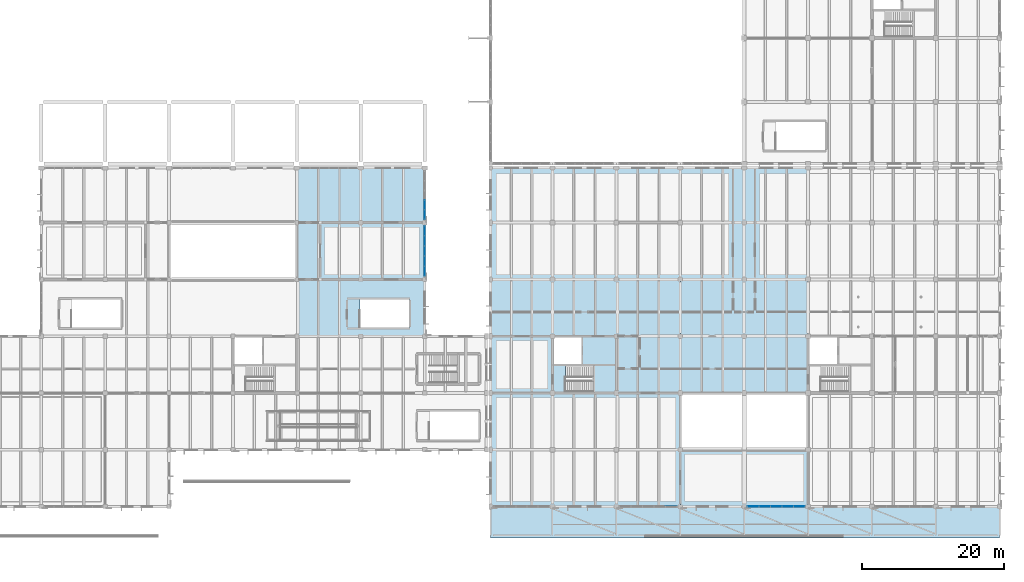
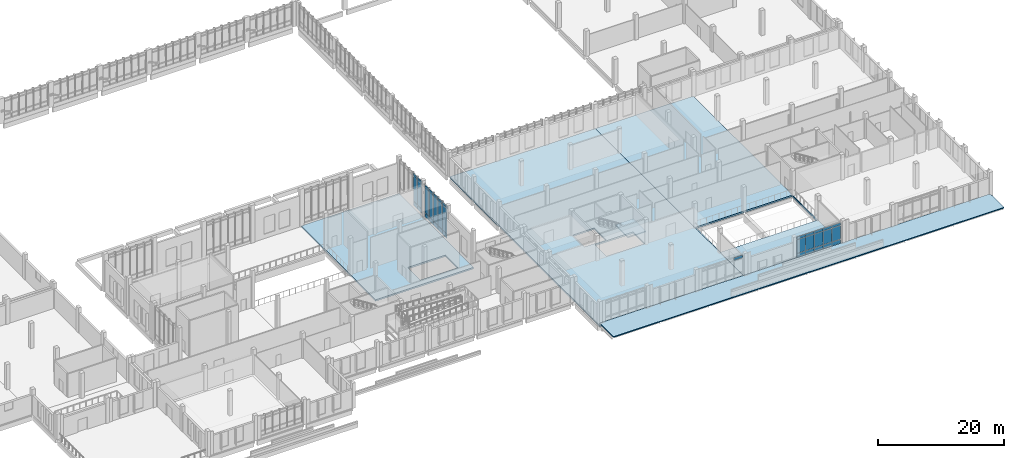
# One storey, part 62 of 110: 37 plates, 5 slabs, 5 elements without a shape of their own.
"""IFC4 building model written with IfcOpenShell, lengths in metres."""

from ifc_helpers import new_model, si_unit, direction, frame, origin, origin_2d, place, context, subcontext, project, spatial, polyline, rectangle, outline, extrude, material, layer, layer_set, type_object, element, aggregate, save


model = new_model("IFC4")

# Units and contexts
model_context = context("Model", 3, precision=1e-05, world=origin(), true_north=direction((0.0, 1.0)))
body_context = subcontext(model_context, "Body", "Model", "MODEL_VIEW")
ifc_project = project(units=[si_unit("LENGTHUNIT", "METRE"), si_unit("AREAUNIT", "SQUARE_METRE"), si_unit("VOLUMEUNIT", "CUBIC_METRE"), si_unit("PLANEANGLEUNIT", "RADIAN"), si_unit("MASSUNIT", "GRAM", prefix="KILO")], contexts=[model_context])

# Site, building, storey
site_placement = place(None, origin())
site = spatial("IfcSite", under=ifc_project, at=site_placement, CompositionType="ELEMENT")
building_placement = place(site_placement, origin())
building = spatial("IfcBuilding", under=site, at=building_placement, Name="Zacnel Wholesale Market", CompositionType="ELEMENT")
storey_placement = place(building_placement, frame((0.0, 0.0, 6.300048828125)))
storey = spatial("IfcBuildingStorey", under=building, at=storey_placement, Name="L02", CompositionType="ELEMENT", Elevation=6.300048828125)

# Curtain wall, plates
ifc_material_1 = material(Name="Anodised aluminium", Category="aluminium")
ifc_layer_1 = layer(ifc_material_1, 0.179931640625)
ifc_layer_set_1 = layer_set([ifc_layer_1], Name="Anodised aluminium")
curtain_wall_type_1 = type_object("IfcCurtainWallType", Name="CW-BLVD-5400", PredefinedType="NOTDEFINED", material=ifc_layer_set_1)
curtain_wall_1_placement = place(storey_placement, origin())
curtain_wall_1 = element("IfcCurtainWall", 1, at=curtain_wall_1_placement, inside=storey, type_object=curtain_wall_type_1, Name="Curtain wall ENV-R2-CW-L02-018", PredefinedType="NOTDEFINED")
ifc_material_2 = material(Name="Laminated hurricane-impact low-E insulated glass", Category="glass")
ifc_layer_2 = layer(ifc_material_2, 0.028076171875)
ifc_layer_set_2 = layer_set([ifc_layer_2], Name="Laminated hurricane-impact low-E insulated glass")
plate_type_1 = type_object("IfcPlateType", Name="CWP-PNL-01", PredefinedType="CURTAIN_PANEL", material=ifc_layer_set_2)
plate_1_placement = place(storey_placement, frame((181.260009765625, 0.0, 1.330078125), z_axis=(0.0, 0.0, 1.0), x_axis=(1.0, 0.0, 0.0)))
plate_1 = element("IfcPlate", 2, at=plate_1_placement, type_object=plate_type_1, Name="ENV-R2-CW-L02-018 panel 1-2", PredefinedType="CURTAIN_PANEL", context=body_context, shape_type="SweptSolid", body=[
    extrude(rectangle(XDim=1.550048828125, YDim=0.028076171875, at=origin_2d()), origin(), (0.0, 0.0, 1.0), 2.639892578125),
])
plate_2_placement = place(storey_placement, frame((182.8798828125, 0.0, 1.330078125), z_axis=(0.0, 0.0, 1.0), x_axis=(1.0, 0.0, 0.0)))
plate_2 = element("IfcPlate", 3, at=plate_2_placement, type_object=plate_type_1, Name="ENV-R2-CW-L02-018 panel 2-2", PredefinedType="CURTAIN_PANEL", context=body_context, shape_type="SweptSolid", body=[
    extrude(rectangle(XDim=1.550048828125, YDim=0.028076171875, at=origin_2d()), origin(), (0.0, 0.0, 1.0), 2.639892578125),
])
plate_3_placement = place(storey_placement, frame((184.5, 0.0, 1.330078125), z_axis=(0.0, 0.0, 1.0), x_axis=(1.0, 0.0, 0.0)))
plate_3 = element("IfcPlate", 4, at=plate_3_placement, type_object=plate_type_1, Name="ENV-R2-CW-L02-018 panel 3-2", PredefinedType="CURTAIN_PANEL", context=body_context, shape_type="SweptSolid", body=[
    extrude(rectangle(XDim=1.550048828125, YDim=0.028076171875, at=origin_2d()), origin(), (0.0, 0.0, 1.0), 2.639892578125),
])
plate_4_placement = place(storey_placement, frame((186.1201171875, 0.0, 1.330078125), z_axis=(0.0, 0.0, 1.0), x_axis=(1.0, 0.0, 0.0)))
plate_4 = element("IfcPlate", 5, at=plate_4_placement, type_object=plate_type_1, Name="ENV-R2-CW-L02-018 panel 4-2", PredefinedType="CURTAIN_PANEL", context=body_context, shape_type="SweptSolid", body=[
    extrude(rectangle(XDim=1.550048828125, YDim=0.028076171875, at=origin_2d()), origin(), (0.0, 0.0, 1.0), 2.639892578125),
])
plate_5_placement = place(storey_placement, frame((187.739990234375, 0.0, 1.330078125), z_axis=(0.0, 0.0, 1.0), x_axis=(1.0, 0.0, 0.0)))
plate_5 = element("IfcPlate", 6, at=plate_5_placement, type_object=plate_type_1, Name="ENV-R2-CW-L02-018 panel 5-2", PredefinedType="CURTAIN_PANEL", context=body_context, shape_type="SweptSolid", body=[
    extrude(rectangle(XDim=1.550048828125, YDim=0.028076171875, at=origin_2d()), origin(), (0.0, 0.0, 1.0), 2.639892578125),
])

ifc_material_3 = material(Name="Anodised aluminium", Category="aluminium")
ifc_layer_3 = layer(ifc_material_3, 0.179931640625)
ifc_layer_set_3 = layer_set([ifc_layer_3], Name="Anodised aluminium")
curtain_wall_type_2 = type_object("IfcCurtainWallType", Name="CW-AUCT-5800", PredefinedType="NOTDEFINED", material=ifc_layer_set_3)
curtain_wall_2_placement = place(storey_placement, origin())
curtain_wall_2 = element("IfcCurtainWall", 7, at=curtain_wall_2_placement, inside=storey, type_object=curtain_wall_type_2, Name="Curtain wall ENV-R2-CW-L02-014", PredefinedType="NOTDEFINED")
ifc_material_4 = material(Name="Laminated hurricane-impact low-E insulated glass", Category="glass")
ifc_layer_4 = layer(ifc_material_4, 0.035888671875)
ifc_layer_set_4 = layer_set([ifc_layer_4], Name="Laminated hurricane-impact low-E insulated glass")
plate_type_2 = type_object("IfcPlateType", Name="CWP-PNL-04", PredefinedType="CURTAIN_PANEL", material=ifc_layer_set_4)
plate_6_placement = place(storey_placement, frame((135.0, 33.159912109375, 1.329833984375), z_axis=(0.0, 0.0, 1.0), x_axis=(0.0, 1.0, 0.0)))
plate_6 = element("IfcPlate", 8, at=plate_6_placement, type_object=plate_type_2, Name="ENV-R2-CW-L02-014 panel 1-2", PredefinedType="CURTAIN_PANEL", context=body_context, shape_type="SweptSolid", body=[
    extrude(rectangle(XDim=1.35009765625, YDim=0.035888671875, at=origin_2d()), origin(), (0.0, 0.0, 1.0), 4.830078125),
])
plate_7_placement = place(storey_placement, frame((135.0, 34.580078125, 1.329833984375), z_axis=(0.0, 0.0, 1.0), x_axis=(0.0, 1.0, 0.0)))
plate_7 = element("IfcPlate", 9, at=plate_7_placement, type_object=plate_type_2, Name="ENV-R2-CW-L02-014 panel 2-2", PredefinedType="CURTAIN_PANEL", context=body_context, shape_type="SweptSolid", body=[
    extrude(rectangle(XDim=1.35009765625, YDim=0.035888671875, at=origin_2d()), origin(), (0.0, 0.0, 1.0), 4.830078125),
])
plate_8_placement = place(storey_placement, frame((135.0, 36.0, 1.329833984375), z_axis=(0.0, 0.0, 1.0), x_axis=(0.0, 1.0, 0.0)))
plate_8 = element("IfcPlate", 10, at=plate_8_placement, type_object=plate_type_2, Name="ENV-R2-CW-L02-014 panel 3-2", PredefinedType="CURTAIN_PANEL", context=body_context, shape_type="SweptSolid", body=[
    extrude(rectangle(XDim=1.35009765625, YDim=0.035888671875, at=origin_2d()), origin(), (0.0, 0.0, 1.0), 4.830078125),
])
plate_9_placement = place(storey_placement, frame((135.0, 37.419921875, 1.329833984375), z_axis=(0.0, 0.0, 1.0), x_axis=(0.0, 1.0, 0.0)))
plate_9 = element("IfcPlate", 11, at=plate_9_placement, type_object=plate_type_2, Name="ENV-R2-CW-L02-014 panel 4-2", PredefinedType="CURTAIN_PANEL", context=body_context, shape_type="SweptSolid", body=[
    extrude(rectangle(XDim=1.35009765625, YDim=0.035888671875, at=origin_2d()), origin(), (0.0, 0.0, 1.0), 4.830078125),
])
plate_10_placement = place(storey_placement, frame((135.0, 38.840087890625, 1.329833984375), z_axis=(0.0, 0.0, 1.0), x_axis=(0.0, 1.0, 0.0)))
plate_10 = element("IfcPlate", 12, at=plate_10_placement, type_object=plate_type_2, Name="ENV-R2-CW-L02-014 panel 5-2", PredefinedType="CURTAIN_PANEL", context=body_context, shape_type="SweptSolid", body=[
    extrude(rectangle(XDim=1.35009765625, YDim=0.035888671875, at=origin_2d()), origin(), (0.0, 0.0, 1.0), 4.830078125),
])

curtain_wall_3_placement = place(storey_placement, origin())
curtain_wall_3 = element("IfcCurtainWall", 13, at=curtain_wall_3_placement, inside=storey, type_object=curtain_wall_type_2, Name="Curtain wall ENV-R2-CW-L02-015", PredefinedType="NOTDEFINED")
plate_11_placement = place(storey_placement, frame((135.0, 41.1298828125, 1.329833984375), z_axis=(0.0, 0.0, 1.0), x_axis=(0.0, 1.0, 0.0)))
plate_11 = element("IfcPlate", 14, at=plate_11_placement, type_object=plate_type_2, Name="ENV-R2-CW-L02-015 panel 1-2", PredefinedType="CURTAIN_PANEL", context=body_context, shape_type="SweptSolid", body=[
    extrude(rectangle(XDim=1.2900390625, YDim=0.035888671875, at=origin_2d()), origin(), (0.0, 0.0, 1.0), 4.830078125),
])
plate_12_placement = place(storey_placement, frame((135.0, 42.489990234375, 1.329833984375), z_axis=(0.0, 0.0, 1.0), x_axis=(0.0, 1.0, 0.0)))
plate_12 = element("IfcPlate", 15, at=plate_12_placement, type_object=plate_type_2, Name="ENV-R2-CW-L02-015 panel 2-2", PredefinedType="CURTAIN_PANEL", context=body_context, shape_type="SweptSolid", body=[
    extrude(rectangle(XDim=1.2900390625, YDim=0.035888671875, at=origin_2d()), origin(), (0.0, 0.0, 1.0), 4.830078125),
])

# Plate
ifc_material_5 = material(Name="Anodised aluminium", Category="aluminium")
ifc_layer_5 = layer(ifc_material_5, 0.0400390625)
ifc_layer_set_5 = layer_set([ifc_layer_5], Name="Anodised aluminium")
plate_type_3 = type_object("IfcPlateType", Name="CWP-PNL-05", PredefinedType="CURTAIN_PANEL", material=ifc_layer_set_5)
plate_13_placement = place(storey_placement, frame((135.0, 33.159912109375, 0.47998046875), z_axis=(0.0, 0.0, 1.0), x_axis=(0.0, 1.0, 0.0)))
plate_13 = element("IfcPlate", 16, at=plate_13_placement, type_object=plate_type_3, Name="ENV-R2-CW-L02-014 panel 1-1", PredefinedType="CURTAIN_PANEL", context=body_context, shape_type="SweptSolid", body=[
    extrude(rectangle(XDim=1.35009765625, YDim=0.0400390625, at=origin_2d()), origin(), (0.0, 0.0, 1.0), 0.7900390625),
])

plate_14_placement = place(storey_placement, frame((135.0, 33.159912109375, 6.2197265625), z_axis=(0.0, 0.0, 1.0), x_axis=(0.0, 1.0, 0.0)))
plate_14 = element("IfcPlate", 17, at=plate_14_placement, type_object=plate_type_3, Name="ENV-R2-CW-L02-014 panel 1-3", PredefinedType="CURTAIN_PANEL", context=body_context, shape_type="SweptSolid", body=[
    extrude(rectangle(XDim=1.35009765625, YDim=0.0400390625, at=origin_2d()), origin(), (0.0, 0.0, 1.0), 0.489990234375),
])

plate_15_placement = place(storey_placement, frame((135.0, 36.0, 0.47998046875), z_axis=(0.0, 0.0, 1.0), x_axis=(0.0, 1.0, 0.0)))
plate_15 = element("IfcPlate", 18, at=plate_15_placement, type_object=plate_type_3, Name="ENV-R2-CW-L02-014 panel 3-1", PredefinedType="CURTAIN_PANEL", context=body_context, shape_type="SweptSolid", body=[
    extrude(rectangle(XDim=1.35009765625, YDim=0.0400390625, at=origin_2d()), origin(), (0.0, 0.0, 1.0), 0.7900390625),
])

plate_16_placement = place(storey_placement, frame((135.0, 36.0, 6.2197265625), z_axis=(0.0, 0.0, 1.0), x_axis=(0.0, 1.0, 0.0)))
plate_16 = element("IfcPlate", 19, at=plate_16_placement, type_object=plate_type_3, Name="ENV-R2-CW-L02-014 panel 3-3", PredefinedType="CURTAIN_PANEL", context=body_context, shape_type="SweptSolid", body=[
    extrude(rectangle(XDim=1.35009765625, YDim=0.0400390625, at=origin_2d()), origin(), (0.0, 0.0, 1.0), 0.489990234375),
])

plate_17_placement = place(storey_placement, frame((135.0, 38.840087890625, 0.47998046875), z_axis=(0.0, 0.0, 1.0), x_axis=(0.0, 1.0, 0.0)))
plate_17 = element("IfcPlate", 20, at=plate_17_placement, type_object=plate_type_3, Name="ENV-R2-CW-L02-014 panel 5-1", PredefinedType="CURTAIN_PANEL", context=body_context, shape_type="SweptSolid", body=[
    extrude(rectangle(XDim=1.35009765625, YDim=0.0400390625, at=origin_2d()), origin(), (0.0, 0.0, 1.0), 0.7900390625),
])

plate_18_placement = place(storey_placement, frame((135.0, 38.840087890625, 6.2197265625), z_axis=(0.0, 0.0, 1.0), x_axis=(0.0, 1.0, 0.0)))
plate_18 = element("IfcPlate", 21, at=plate_18_placement, type_object=plate_type_3, Name="ENV-R2-CW-L02-014 panel 5-3", PredefinedType="CURTAIN_PANEL", context=body_context, shape_type="SweptSolid", body=[
    extrude(rectangle(XDim=1.35009765625, YDim=0.0400390625, at=origin_2d()), origin(), (0.0, 0.0, 1.0), 0.489990234375),
])

plate_19_placement = place(storey_placement, frame((135.0, 41.1298828125, 0.47998046875), z_axis=(0.0, 0.0, 1.0), x_axis=(0.0, 1.0, 0.0)))
plate_19 = element("IfcPlate", 22, at=plate_19_placement, type_object=plate_type_3, Name="ENV-R2-CW-L02-015 panel 1-1", PredefinedType="CURTAIN_PANEL", context=body_context, shape_type="SweptSolid", body=[
    extrude(rectangle(XDim=1.2900390625, YDim=0.0400390625, at=origin_2d()), origin(), (0.0, 0.0, 1.0), 0.7900390625),
])

plate_20_placement = place(storey_placement, frame((135.0, 41.1298828125, 6.2197265625), z_axis=(0.0, 0.0, 1.0), x_axis=(0.0, 1.0, 0.0)))
plate_20 = element("IfcPlate", 23, at=plate_20_placement, type_object=plate_type_3, Name="ENV-R2-CW-L02-015 panel 1-3", PredefinedType="CURTAIN_PANEL", context=body_context, shape_type="SweptSolid", body=[
    extrude(rectangle(XDim=1.2900390625, YDim=0.0400390625, at=origin_2d()), origin(), (0.0, 0.0, 1.0), 0.489990234375),
])

# Curtain wall, plate
curtain_wall_4_placement = place(storey_placement, origin())
curtain_wall_4 = element("IfcCurtainWall", 24, at=curtain_wall_4_placement, inside=storey, type_object=curtain_wall_type_1, Name="Curtain wall ENV-R2-CW-L02-017", PredefinedType="NOTDEFINED")
plate_21_placement = place(storey_placement, frame((169.739990234375, 0.0, 4.02978515625), z_axis=(0.0, 0.0, 1.0), x_axis=(1.0, 0.0, 0.0)))
plate_21 = element("IfcPlate", 25, at=plate_21_placement, type_object=plate_type_3, Name="ENV-R2-CW-L02-017 panel 5-3", PredefinedType="CURTAIN_PANEL", context=body_context, shape_type="SweptSolid", body=[
    extrude(rectangle(XDim=1.550048828125, YDim=0.0400390625, at=origin_2d()), origin(), (0.0, 0.0, 1.0), 0.489990234375),
])
aggregate(curtain_wall_4, [plate_21])

# Plate
plate_22_placement = place(storey_placement, frame((181.260009765625, 0.0, 0.47998046875), z_axis=(0.0, 0.0, 1.0), x_axis=(1.0, 0.0, 0.0)))
plate_22 = element("IfcPlate", 26, at=plate_22_placement, type_object=plate_type_3, Name="ENV-R2-CW-L02-018 panel 1-1", PredefinedType="CURTAIN_PANEL", context=body_context, shape_type="SweptSolid", body=[
    extrude(rectangle(XDim=1.550048828125, YDim=0.0400390625, at=origin_2d()), origin(), (0.0, 0.0, 1.0), 0.7900390625),
])

plate_23_placement = place(storey_placement, frame((181.260009765625, 0.0, 4.02978515625), z_axis=(0.0, 0.0, 1.0), x_axis=(1.0, 0.0, 0.0)))
plate_23 = element("IfcPlate", 27, at=plate_23_placement, type_object=plate_type_3, Name="ENV-R2-CW-L02-018 panel 1-3", PredefinedType="CURTAIN_PANEL", context=body_context, shape_type="SweptSolid", body=[
    extrude(rectangle(XDim=1.550048828125, YDim=0.0400390625, at=origin_2d()), origin(), (0.0, 0.0, 1.0), 0.489990234375),
])

plate_24_placement = place(storey_placement, frame((184.5, 0.0, 0.47998046875), z_axis=(0.0, 0.0, 1.0), x_axis=(1.0, 0.0, 0.0)))
plate_24 = element("IfcPlate", 28, at=plate_24_placement, type_object=plate_type_3, Name="ENV-R2-CW-L02-018 panel 3-1", PredefinedType="CURTAIN_PANEL", context=body_context, shape_type="SweptSolid", body=[
    extrude(rectangle(XDim=1.550048828125, YDim=0.0400390625, at=origin_2d()), origin(), (0.0, 0.0, 1.0), 0.7900390625),
])

plate_25_placement = place(storey_placement, frame((184.5, 0.0, 4.02978515625), z_axis=(0.0, 0.0, 1.0), x_axis=(1.0, 0.0, 0.0)))
plate_25 = element("IfcPlate", 29, at=plate_25_placement, type_object=plate_type_3, Name="ENV-R2-CW-L02-018 panel 3-3", PredefinedType="CURTAIN_PANEL", context=body_context, shape_type="SweptSolid", body=[
    extrude(rectangle(XDim=1.550048828125, YDim=0.0400390625, at=origin_2d()), origin(), (0.0, 0.0, 1.0), 0.489990234375),
])

plate_26_placement = place(storey_placement, frame((187.739990234375, 0.0, 0.47998046875), z_axis=(0.0, 0.0, 1.0), x_axis=(1.0, 0.0, 0.0)))
plate_26 = element("IfcPlate", 30, at=plate_26_placement, type_object=plate_type_3, Name="ENV-R2-CW-L02-018 panel 5-1", PredefinedType="CURTAIN_PANEL", context=body_context, shape_type="SweptSolid", body=[
    extrude(rectangle(XDim=1.550048828125, YDim=0.0400390625, at=origin_2d()), origin(), (0.0, 0.0, 1.0), 0.7900390625),
])

plate_27_placement = place(storey_placement, frame((187.739990234375, 0.0, 4.02978515625), z_axis=(0.0, 0.0, 1.0), x_axis=(1.0, 0.0, 0.0)))
plate_27 = element("IfcPlate", 31, at=plate_27_placement, type_object=plate_type_3, Name="ENV-R2-CW-L02-018 panel 5-3", PredefinedType="CURTAIN_PANEL", context=body_context, shape_type="SweptSolid", body=[
    extrude(rectangle(XDim=1.550048828125, YDim=0.0400390625, at=origin_2d()), origin(), (0.0, 0.0, 1.0), 0.489990234375),
])

ifc_material_6 = material(Name="Honed Yucatan Maya cream limestone", Category="masonry")
ifc_layer_6 = layer(ifc_material_6, 0.044921875)
ifc_layer_set_6 = layer_set([ifc_layer_6], Name="Honed Yucatan Maya cream limestone")
plate_type_4 = type_object("IfcPlateType", Name="CWP-PNL-06", PredefinedType="CURTAIN_PANEL", material=ifc_layer_set_6)
plate_28_placement = place(storey_placement, frame((135.0, 34.580078125, 0.47998046875), z_axis=(0.0, 0.0, 1.0), x_axis=(0.0, 1.0, 0.0)))
plate_28 = element("IfcPlate", 32, at=plate_28_placement, type_object=plate_type_4, Name="ENV-R2-CW-L02-014 panel 2-1", PredefinedType="CURTAIN_PANEL", context=body_context, shape_type="SweptSolid", body=[
    extrude(rectangle(XDim=1.35009765625, YDim=0.044921875, at=origin_2d()), origin(), (0.0, 0.0, 1.0), 0.7900390625),
])

plate_29_placement = place(storey_placement, frame((135.0, 34.580078125, 6.2197265625), z_axis=(0.0, 0.0, 1.0), x_axis=(0.0, 1.0, 0.0)))
plate_29 = element("IfcPlate", 33, at=plate_29_placement, type_object=plate_type_4, Name="ENV-R2-CW-L02-014 panel 2-3", PredefinedType="CURTAIN_PANEL", context=body_context, shape_type="SweptSolid", body=[
    extrude(rectangle(XDim=1.35009765625, YDim=0.044921875, at=origin_2d()), origin(), (0.0, 0.0, 1.0), 0.489990234375),
])

plate_30_placement = place(storey_placement, frame((135.0, 37.419921875, 0.47998046875), z_axis=(0.0, 0.0, 1.0), x_axis=(0.0, 1.0, 0.0)))
plate_30 = element("IfcPlate", 34, at=plate_30_placement, type_object=plate_type_4, Name="ENV-R2-CW-L02-014 panel 4-1", PredefinedType="CURTAIN_PANEL", context=body_context, shape_type="SweptSolid", body=[
    extrude(rectangle(XDim=1.35009765625, YDim=0.044921875, at=origin_2d()), origin(), (0.0, 0.0, 1.0), 0.7900390625),
])

plate_31_placement = place(storey_placement, frame((135.0, 37.419921875, 6.2197265625), z_axis=(0.0, 0.0, 1.0), x_axis=(0.0, 1.0, 0.0)))
plate_31 = element("IfcPlate", 35, at=plate_31_placement, type_object=plate_type_4, Name="ENV-R2-CW-L02-014 panel 4-3", PredefinedType="CURTAIN_PANEL", context=body_context, shape_type="SweptSolid", body=[
    extrude(rectangle(XDim=1.35009765625, YDim=0.044921875, at=origin_2d()), origin(), (0.0, 0.0, 1.0), 0.489990234375),
])

aggregate(curtain_wall_2, [plate_13, plate_6, plate_14, plate_28, plate_7, plate_29, plate_15, plate_8, plate_16, plate_30, plate_9, plate_31, plate_17, plate_10, plate_18])

plate_32_placement = place(storey_placement, frame((135.0, 42.489990234375, 0.47998046875), z_axis=(0.0, 0.0, 1.0), x_axis=(0.0, 1.0, 0.0)))
plate_32 = element("IfcPlate", 36, at=plate_32_placement, type_object=plate_type_4, Name="ENV-R2-CW-L02-015 panel 2-1", PredefinedType="CURTAIN_PANEL", context=body_context, shape_type="SweptSolid", body=[
    extrude(rectangle(XDim=1.2900390625, YDim=0.044921875, at=origin_2d()), origin(), (0.0, 0.0, 1.0), 0.7900390625),
])

plate_33_placement = place(storey_placement, frame((135.0, 42.489990234375, 6.2197265625), z_axis=(0.0, 0.0, 1.0), x_axis=(0.0, 1.0, 0.0)))
plate_33 = element("IfcPlate", 37, at=plate_33_placement, type_object=plate_type_4, Name="ENV-R2-CW-L02-015 panel 2-3", PredefinedType="CURTAIN_PANEL", context=body_context, shape_type="SweptSolid", body=[
    extrude(rectangle(XDim=1.2900390625, YDim=0.044921875, at=origin_2d()), origin(), (0.0, 0.0, 1.0), 0.489990234375),
])

aggregate(curtain_wall_3, [plate_19, plate_11, plate_20, plate_32, plate_12, plate_33])

plate_34_placement = place(storey_placement, frame((182.8798828125, 0.0, 0.47998046875), z_axis=(0.0, 0.0, 1.0), x_axis=(1.0, 0.0, 0.0)))
plate_34 = element("IfcPlate", 38, at=plate_34_placement, type_object=plate_type_4, Name="ENV-R2-CW-L02-018 panel 2-1", PredefinedType="CURTAIN_PANEL", context=body_context, shape_type="SweptSolid", body=[
    extrude(rectangle(XDim=1.550048828125, YDim=0.044921875, at=origin_2d()), origin(), (0.0, 0.0, 1.0), 0.7900390625),
])

plate_35_placement = place(storey_placement, frame((182.8798828125, 0.0, 4.02978515625), z_axis=(0.0, 0.0, 1.0), x_axis=(1.0, 0.0, 0.0)))
plate_35 = element("IfcPlate", 39, at=plate_35_placement, type_object=plate_type_4, Name="ENV-R2-CW-L02-018 panel 2-3", PredefinedType="CURTAIN_PANEL", context=body_context, shape_type="SweptSolid", body=[
    extrude(rectangle(XDim=1.550048828125, YDim=0.044921875, at=origin_2d()), origin(), (0.0, 0.0, 1.0), 0.489990234375),
])

plate_36_placement = place(storey_placement, frame((186.1201171875, 0.0, 0.47998046875), z_axis=(0.0, 0.0, 1.0), x_axis=(1.0, 0.0, 0.0)))
plate_36 = element("IfcPlate", 40, at=plate_36_placement, type_object=plate_type_4, Name="ENV-R2-CW-L02-018 panel 4-1", PredefinedType="CURTAIN_PANEL", context=body_context, shape_type="SweptSolid", body=[
    extrude(rectangle(XDim=1.550048828125, YDim=0.044921875, at=origin_2d()), origin(), (0.0, 0.0, 1.0), 0.7900390625),
])

plate_37_placement = place(storey_placement, frame((186.1201171875, 0.0, 4.02978515625), z_axis=(0.0, 0.0, 1.0), x_axis=(1.0, 0.0, 0.0)))
plate_37 = element("IfcPlate", 41, at=plate_37_placement, type_object=plate_type_4, Name="ENV-R2-CW-L02-018 panel 4-3", PredefinedType="CURTAIN_PANEL", context=body_context, shape_type="SweptSolid", body=[
    extrude(rectangle(XDim=1.550048828125, YDim=0.044921875, at=origin_2d()), origin(), (0.0, 0.0, 1.0), 0.489990234375),
])

aggregate(curtain_wall_1, [plate_22, plate_1, plate_23, plate_34, plate_2, plate_35, plate_24, plate_3, plate_25, plate_36, plate_4, plate_37, plate_26, plate_5, plate_27])

# Slabs
ifc_material_7 = material(Name="Precast concrete C45/55", Category="concrete")
ifc_layer_7 = layer(ifc_material_7, 0.300048828125)
ifc_layer_set_7 = layer_set([ifc_layer_7], Name="Precast concrete C45/55")
slab_type_1 = type_object("IfcSlabType", Name="SLB-FLR-300", PredefinedType="FLOOR", material=ifc_layer_set_7)
slab_1_placement = place(storey_placement, frame((0.0, 0.0, -0.300048828125)))
element("IfcSlab", 42, at=slab_1_placement, inside=storey, type_object=slab_type_1, Name="Structural slab SLB-L02-V2-GAL-P3", PredefinedType="FLOOR", context=body_context, shape_type="SweptSolid", body=[
    extrude(outline(polyline([(135.0, 24.0), (117.0, 24.0), (117.0, 47.699951171875), (135.0, 47.699951171875), (135.0, 24.0)]), holes=[polyline([(125.919921875, 25.199951171875), (132.800048828125, 25.199951171875), (132.800048828125, 29.199951171875), (125.919921875, 29.199951171875), (125.919921875, 25.199951171875)])]), origin(), (0.0, 0.0, 1.0), 0.300048828125),
])
slab_2_placement = place(storey_placement, frame((0.0, 0.0, -0.300048828125)))
element("IfcSlab", 43, at=slab_2_placement, inside=storey, type_object=slab_type_1, Name="Structural slab SLB-L02-V5-P1", PredefinedType="FLOOR", context=body_context, shape_type="SweptSolid", body=[
    extrude(outline(polyline([(171.0, 47.699951171875), (171.0, 0.0), (144.300048828125, 0.0), (144.300048828125, 47.699951171875), (171.0, 47.699951171875)]), holes=[polyline([(154.85009765625, 16.1298828125), (161.8701171875, 16.1298828125), (161.8701171875, 19.820068359375), (154.85009765625, 19.820068359375), (154.85009765625, 16.1298828125)]), polyline([(153.1298828125, 20.080078125), (157.070068359375, 20.080078125), (157.070068359375, 23.8701171875), (153.1298828125, 23.8701171875), (153.1298828125, 20.080078125)])]), origin(), (0.0, 0.0, 1.0), 0.300048828125),
])
slab_3_placement = place(storey_placement, frame((0.0, 0.0, -0.300048828125)))
element("IfcSlab", 44, at=slab_3_placement, inside=storey, type_object=slab_type_1, Name="Structural slab SLB-L02-V5-P2", PredefinedType="FLOOR", context=body_context, shape_type="SweptSolid", body=[
    extrude(outline(polyline([(189.0, 47.699951171875), (189.0, 0.0), (171.0, 0.0), (171.0, 47.699951171875), (189.0, 47.699951171875)]), holes=[polyline([(171.14990234375, 8.0), (188.85009765625, 8.0), (188.85009765625, 16.0), (171.14990234375, 16.0), (171.14990234375, 8.0)])]), origin(), (0.0, 0.0, 1.0), 0.300048828125),
])

# Stair, slab
ifc_material_8 = material(Name="Precast concrete C45/55", Category="concrete")
stair_type = type_object("IfcStairType", Name="STR-DOGLEG-1550", PredefinedType="HALF_TURN_STAIR", material=ifc_material_8)
stair_placement = place(storey_placement, origin())
stair = element("IfcStair", 45, at=stair_placement, inside=storey, type_object=stair_type, Name="Stair ST-02 (L02)", PredefinedType="HALF_TURN_STAIR")
ifc_material_9 = material(Name="Precast concrete C45/55", Category="concrete")
ifc_layer_8 = layer(ifc_material_9, 0.199951171875)
ifc_layer_set_8 = layer_set([ifc_layer_8], Name="Precast concrete C45/55")
slab_type_2 = type_object("IfcSlabType", Name="SLB-LAND-200", PredefinedType="LANDING", material=ifc_layer_set_8)
slab_4_placement = place(storey_placement, frame((0.0, 0.0, 2.25)))
slab_4 = element("IfcSlab", 46, at=slab_4_placement, type_object=slab_type_2, Name="ST-02 landing 1", PredefinedType="LANDING", context=body_context, shape_type="SweptSolid", body=[
    extrude(outline(polyline([(158.7099609375, 15.989990234375), (162.010009765625, 15.989990234375), (162.010009765625, 19.9599609375), (158.7099609375, 19.9599609375), (158.7099609375, 15.989990234375)])), origin(), (0.0, 0.0, 1.0), 0.199951171875),
])
aggregate(stair, [slab_4])

# Slab
ifc_material_10 = material(Name="Precast concrete C45/55", Category="concrete")
ifc_layer_9 = layer(ifc_material_10, 0.179931640625)
ifc_layer_set_9 = layer_set([ifc_layer_9], Name="Precast concrete C45/55")
slab_type_3 = type_object("IfcSlabType", Name="SLB-ROOF-CAN-180", PredefinedType="ROOF", material=ifc_layer_set_9)
slab_5_placement = place(storey_placement, frame((0.0, 0.0, 0.320068359375)))
element("IfcSlab", 47, at=slab_5_placement, inside=storey, type_object=slab_type_3, Name="Storm canopy slab CAN-BLVD-V5", PredefinedType="ROOF", context=body_context, shape_type="SweptSolid", body=[
    extrude(outline(polyline([(144.300048828125, -4.39990234375), (216.0, -4.39990234375), (216.0, 0.0), (144.300048828125, 0.0), (144.300048828125, -4.39990234375)])), origin(), (0.0, 0.0, 1.0), 0.179931640625),
])

save(model, "model.ifc")
